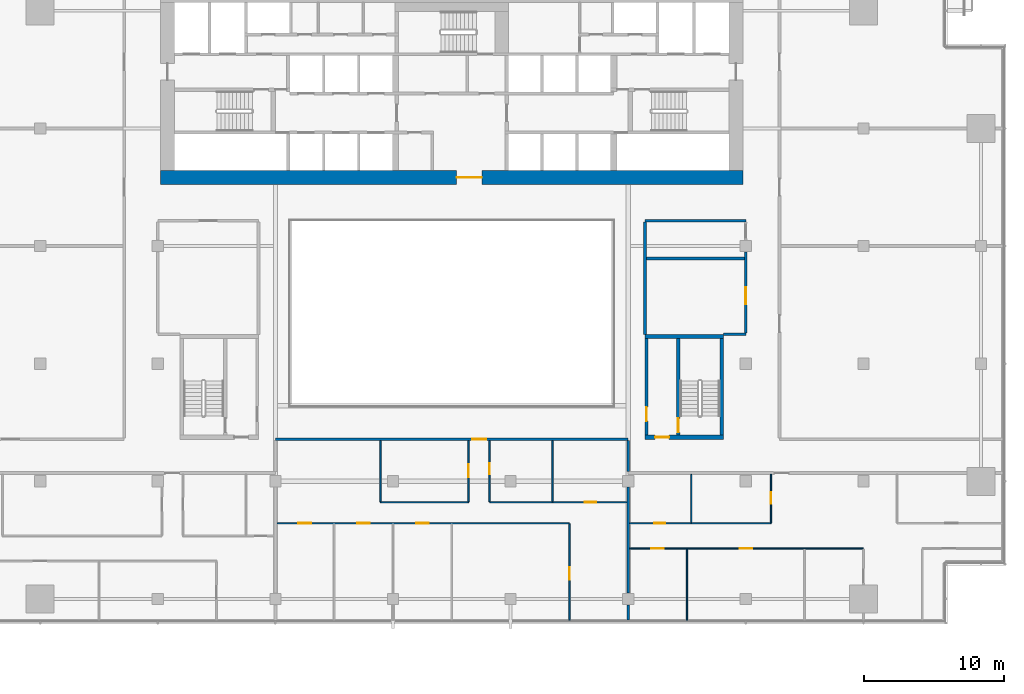
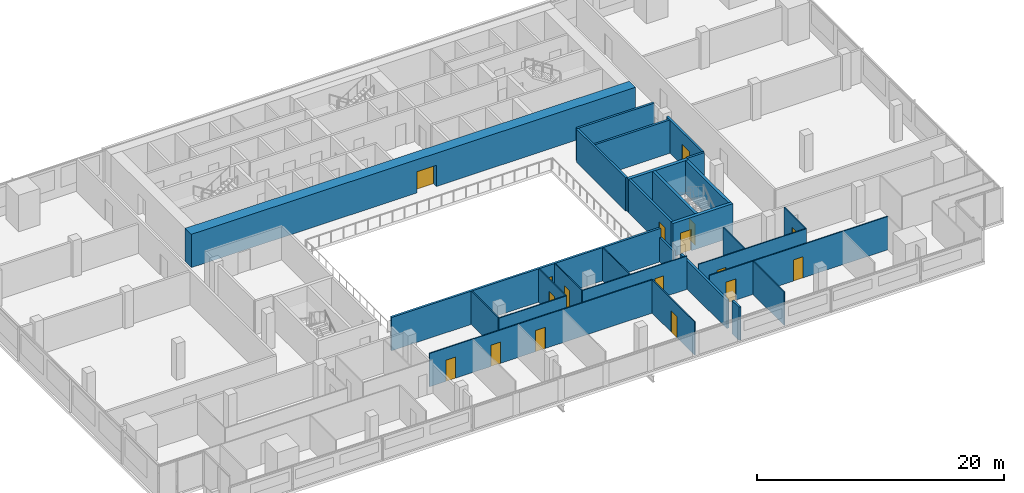
# One storey, part 18 of 26: 28 walls, 17 doors, 17 openings.
"""IFC4 building model written with IfcOpenShell, lengths in metres."""

from ifc_helpers import new_model, si_unit, direction, frame, frame_2d, origin, place, context, subcontext, project, spatial, rectangle, extrude, material, layer, layer_set, type_object, element, fill, save


model = new_model("IFC4")

# Units and contexts
model_context = context("Model", 3, precision=1e-05, world=origin(), true_north=direction((0.0, 1.0)))
body_context = subcontext(model_context, "Body", "Model", "MODEL_VIEW")
ifc_project = project(units=[si_unit("LENGTHUNIT", "METRE"), si_unit("AREAUNIT", "SQUARE_METRE"), si_unit("VOLUMEUNIT", "CUBIC_METRE"), si_unit("PLANEANGLEUNIT", "RADIAN"), si_unit("MASSUNIT", "GRAM", prefix="KILO")], contexts=[model_context])

# Site, building, storey
site_placement = place(None, origin())
site = spatial("IfcSite", under=ifc_project, at=site_placement, CompositionType="ELEMENT")
building_placement = place(site_placement, origin())
building = spatial("IfcBuilding", under=site, at=building_placement, Name="Saffron Gate Tower", CompositionType="ELEMENT")
storey_placement = place(building_placement, frame((0.0, 0.0, 138.449951171875)))
storey = spatial("IfcBuildingStorey", under=building, at=storey_placement, Name="L33", CompositionType="ELEMENT", Elevation=138.449951171875)

# Wall, opening, door
ifc_material_1 = material(Name="Gypsum board partition on steel studs", Category="steel")
ifc_layer_1 = layer(ifc_material_1, 0.199951171875)
ifc_layer_set_1 = layer_set([ifc_layer_1], Name="CW10 Core partition 200")
wall_type_1 = type_object("IfcWallType", Name="CW10 Core partition 200", PredefinedType="PARTITIONING", material=ifc_layer_set_1)
wall_1_placement = place(storey_placement, frame((101.5, 43.5, 0.0), z_axis=(0.0, 0.0, 1.0), x_axis=(0.0, 1.0, 0.0)))
wall_1 = element("IfcWall", 1, at=wall_1_placement, inside=storey, type_object=wall_type_1, Name="Wall CW10-L33-E-2", PredefinedType="PARTITIONING", context=body_context, shape_type="SweptSolid", body=[
    extrude(rectangle(XDim=6.89990234375, YDim=0.199951171875, at=frame_2d((3.449951171875, 0.0))), origin(), (0.0, 0.0, 1.0), 3.300048828125),
])
opening_1_placement = place(wall_1_placement, frame((1.0, 0.0, 0.0)))
opening_1 = element("IfcOpeningElement", 2, at=opening_1_placement, cuts=wall_1, Name="Opening CR-22", PredefinedType="OPENING", context=body_context, shape_type="SweptSolid", body=[
    extrude(rectangle(XDim=1.0, YDim=2.10009765625, at=frame_2d((0.5, 1.050048828125))), frame((0.0, 0.10986328125, 0.0), z_axis=(0.0, -1.0, 0.0), x_axis=(1.0, 0.0, 0.0)), (0.0, 0.0, 1.0), 0.219970703125),
])
ifc_material_2 = material(Name="Steel fire door set", Category="steel")
door_type_1 = type_object("IfcDoorType", Name="CD4 Lobby door 1000x2100 EI 120", OperationType="NOTDEFINED", PredefinedType="DOOR", material=ifc_material_2)
door_1_placement = place(opening_1_placement, origin())
door_1 = element("IfcDoor", 3, at=door_1_placement, inside=storey, type_object=door_type_1, Name="DOOR CR-22", OperationType="SINGLE_SWING_LEFT", OverallHeight=2.10009765625, OverallWidth=1.0, PredefinedType="DOOR", context=body_context, shape_type="SweptSolid", body=[
    extrude(rectangle(XDim=1.0, YDim=2.10009765625, at=frame_2d((0.5, 1.050048828125))), frame((0.0, 0.02490234375, 0.0), z_axis=(0.0, -1.0, 0.0), x_axis=(1.0, 0.0, 0.0)), (0.0, 0.0, 1.0), 0.050048828125),
])
fill(opening_1, door_1)

ifc_material_3 = material(Name="Concrete C70", Category="concrete")
ifc_layer_2 = layer(ifc_material_3, 1.0)
ifc_layer_set_2 = layer_set([ifc_layer_2], Name="CW12 RC core wall 1000 C70")
wall_type_2 = type_object("IfcWallType", Name="CW12 RC core wall 1000 C70", PredefinedType="SOLIDWALL", material=ifc_layer_set_2)
wall_2_placement = place(storey_placement, frame((66.800048828125, 61.89990234375, 0.0), z_axis=(0.0, 0.0, 1.0), x_axis=(1.0, 0.0, 0.0)))
wall_2 = element("IfcWall", 4, at=wall_2_placement, inside=storey, type_object=wall_type_2, Name="Wall CW12-L33-1", PredefinedType="SOLIDWALL", context=body_context, shape_type="SweptSolid", body=[
    extrude(rectangle(XDim=41.599853515625, YDim=1.0, at=frame_2d((20.7998046875, 0.0))), origin(), (0.0, 0.0, 1.0), 3.300048828125),
])
opening_2_placement = place(wall_2_placement, frame((21.14990234375, 0.0, 0.0)))
opening_2 = element("IfcOpeningElement", 5, at=opening_2_placement, cuts=wall_2, Name="Opening CR-09", PredefinedType="OPENING", context=body_context, shape_type="SweptSolid", body=[
    extrude(rectangle(XDim=1.800048828125, YDim=2.10009765625, at=frame_2d((0.89990234375, 1.050048828125))), frame((0.0, 0.510009765625, 0.0), z_axis=(0.0, -1.0, 0.0), x_axis=(1.0, 0.0, 0.0)), (0.0, 0.0, 1.0), 1.02001953125),
])
door_type_2 = type_object("IfcDoorType", Name="CD1 Core entrance door 1800x2100 EI 120", OperationType="NOTDEFINED", PredefinedType="DOOR", material=ifc_material_2)
door_2_placement = place(opening_2_placement, origin())
door_2 = element("IfcDoor", 6, at=door_2_placement, inside=storey, type_object=door_type_2, Name="DOOR CR-09", OperationType="DOUBLE_DOOR_SINGLE_SWING", OverallHeight=2.10009765625, OverallWidth=1.800048828125, PredefinedType="DOOR", context=body_context, shape_type="SweptSolid", body=[
    extrude(rectangle(XDim=1.800048828125, YDim=2.10009765625, at=frame_2d((0.89990234375, 1.050048828125))), frame((0.0, 0.02490234375, 0.0), z_axis=(0.0, -1.0, 0.0), x_axis=(1.0, 0.0, 0.0)), (0.0, 0.0, 1.0), 0.050048828125),
])
fill(opening_2, door_2)

ifc_layer_3 = layer(ifc_material_3, 0.25)
ifc_layer_set_3 = layer_set([ifc_layer_3], Name="CW2 RC core wall 250 C70")
wall_type_3 = type_object("IfcWallType", Name="CW2 RC core wall 250 C70", PredefinedType="SOLIDWALL", material=ifc_layer_set_3)
wall_3_placement = place(storey_placement, frame((103.77490234375, 43.5, 0.0), z_axis=(0.0, 0.0, 1.0), x_axis=(0.0, 1.0, 0.0)))
wall_3 = element("IfcWall", 7, at=wall_3_placement, inside=storey, type_object=wall_type_3, Name="Wall CW2-L33-E-3", PredefinedType="SOLIDWALL", context=body_context, shape_type="SweptSolid", body=[
    extrude(rectangle(XDim=6.89990234375, YDim=0.25, at=frame_2d((3.449951171875, 0.0))), origin(), (0.0, 0.0, 1.0), 3.300048828125),
])
opening_3_placement = place(wall_3_placement, frame((0.199951171875, 0.0, 0.0)))
opening_3 = element("IfcOpeningElement", 8, at=opening_3_placement, cuts=wall_3, Name="Opening CR-23", PredefinedType="OPENING", context=body_context, shape_type="SweptSolid", body=[
    extrude(rectangle(XDim=1.0, YDim=2.10009765625, at=frame_2d((0.5, 1.050048828125))), frame((0.0, 0.135009765625, 0.0), z_axis=(0.0, -1.0, 0.0), x_axis=(1.0, 0.0, 0.0)), (0.0, 0.0, 1.0), 0.27001953125),
])
door_type_3 = type_object("IfcDoorType", Name="CD5 Stair door 1000x2100 EI 120", OperationType="NOTDEFINED", PredefinedType="DOOR", material=ifc_material_2)
door_3_placement = place(opening_3_placement, origin())
door_3 = element("IfcDoor", 9, at=door_3_placement, inside=storey, type_object=door_type_3, Name="DOOR CR-23", OperationType="SINGLE_SWING_RIGHT", OverallHeight=2.10009765625, OverallWidth=1.0, PredefinedType="DOOR", context=body_context, shape_type="SweptSolid", body=[
    extrude(rectangle(XDim=1.0, YDim=2.10009765625, at=frame_2d((0.5, 1.050048828125))), frame((0.0, 0.02490234375, 0.0), z_axis=(0.0, -1.0, 0.0), x_axis=(1.0, 0.0, 0.0)), (0.0, 0.0, 1.0), 0.050048828125),
])
fill(opening_3, door_3)

# Wall
wall_4_placement = place(storey_placement, frame((106.875, 43.5, 0.0), z_axis=(0.0, 0.0, 1.0), x_axis=(0.0, 1.0, 0.0)))
element("IfcWall", 10, at=wall_4_placement, inside=storey, type_object=wall_type_3, Name="Wall CW2-L33-E-4", PredefinedType="SOLIDWALL", context=body_context, shape_type="SweptSolid", body=[
    extrude(rectangle(XDim=6.89990234375, YDim=0.25, at=frame_2d((3.449951171875, 0.0))), origin(), (0.0, 0.0, 1.0), 3.300048828125),
])

# Wall, opening, door
ifc_layer_4 = layer(ifc_material_3, 0.300048828125)
ifc_layer_set_4 = layer_set([ifc_layer_4], Name="CW5 RC core wall 300 C70")
wall_type_4 = type_object("IfcWallType", Name="CW5 RC core wall 300 C70", PredefinedType="SOLIDWALL", material=ifc_layer_set_4)
wall_5_placement = place(storey_placement, frame((101.39990234375, 43.35009765625, 0.0), z_axis=(0.0, 0.0, 1.0), x_axis=(1.0, 0.0, 0.0)))
wall_5 = element("IfcWall", 11, at=wall_5_placement, inside=storey, type_object=wall_type_4, Name="Wall CW5-L33-E-1", PredefinedType="SOLIDWALL", context=body_context, shape_type="SweptSolid", body=[
    extrude(rectangle(XDim=5.60009765625, YDim=0.300048828125, at=frame_2d((2.800048828125, 0.0))), origin(), (0.0, 0.0, 1.0), 3.300048828125),
])
opening_4_placement = place(wall_5_placement, frame((0.72509765625, 0.0, 0.0)))
opening_4 = element("IfcOpeningElement", 12, at=opening_4_placement, cuts=wall_5, Name="Opening CR-21", PredefinedType="OPENING", context=body_context, shape_type="SweptSolid", body=[
    extrude(rectangle(XDim=1.0, YDim=2.10009765625, at=frame_2d((0.5, 1.050048828125))), frame((0.0, 0.16015625, 0.0), z_axis=(0.0, -1.0, 0.0), x_axis=(1.0, 0.0, 0.0)), (0.0, 0.0, 1.0), 0.320068359375),
])
door_4_placement = place(opening_4_placement, origin())
door_4 = element("IfcDoor", 13, at=door_4_placement, inside=storey, type_object=door_type_1, Name="DOOR CR-21", OperationType="SINGLE_SWING_RIGHT", OverallHeight=2.10009765625, OverallWidth=1.0, PredefinedType="DOOR", context=body_context, shape_type="SweptSolid", body=[
    extrude(rectangle(XDim=1.0, YDim=2.10009765625, at=frame_2d((0.5, 1.050048828125))), frame((0.0, 0.02490234375, 0.0), z_axis=(0.0, -1.0, 0.0), x_axis=(1.0, 0.0, 0.0)), (0.0, 0.0, 1.0), 0.050048828125),
])
fill(opening_4, door_4)

# Wall
wall_6_placement = place(storey_placement, frame((101.39990234375, 50.550048828125, 0.0), z_axis=(0.0, 0.0, 1.0), x_axis=(1.0, 0.0, 0.0)))
element("IfcWall", 14, at=wall_6_placement, inside=storey, type_object=wall_type_4, Name="Wall CW5-L33-E-5", PredefinedType="SOLIDWALL", context=body_context, shape_type="SweptSolid", body=[
    extrude(rectangle(XDim=5.60009765625, YDim=0.300048828125, at=frame_2d((2.800048828125, 0.0))), origin(), (0.0, 0.0, 1.0), 3.300048828125),
])

# Wall, openings, doors
ifc_material_4 = material(Name="Plasterboard on steel studs", Category="steel")
ifc_layer_5 = layer(ifc_material_4, 0.10009765625)
ifc_layer_set_5 = layer_set([ifc_layer_5], Name="PW1 Partition 100")
wall_type_5 = type_object("IfcWallType", Name="PW1 Partition 100", PredefinedType="PARTITIONING", material=ifc_layer_set_5)
wall_7_placement = place(storey_placement, frame((117.0, 35.39990234375, 0.0), z_axis=(0.0, 0.0, 1.0), x_axis=(-1.0, 0.0, 0.0)))
wall_7 = element("IfcWall", 15, at=wall_7_placement, inside=storey, type_object=wall_type_5, Name="Partition B5-2", PredefinedType="PARTITIONING", context=body_context, shape_type="SweptSolid", body=[
    extrude(rectangle(XDim=16.699951171875, YDim=0.10009765625, at=frame_2d((8.35009765625, 0.0))), origin(), (0.0, 0.0, 1.0), 3.300048828125),
])
opening_5_placement = place(wall_7_placement, frame((7.949951171875, 0.0, 0.0)))
opening_5 = element("IfcOpeningElement", 16, at=opening_5_placement, cuts=wall_7, Name="Opening B5-14", PredefinedType="OPENING", context=body_context, shape_type="SweptSolid", body=[
    extrude(rectangle(XDim=0.89990234375, YDim=2.10009765625, at=frame_2d((0.449951171875, 1.050048828125))), frame((0.0, 0.06005859375, 0.0), z_axis=(0.0, -1.0, 0.0), x_axis=(1.0, 0.0, 0.0)), (0.0, 0.0, 1.0), 0.1201171875),
])
opening_6_placement = place(wall_7_placement, frame((14.25, 0.0, 0.0)))
opening_6 = element("IfcOpeningElement", 17, at=opening_6_placement, cuts=wall_7, Name="Opening B5-13", PredefinedType="OPENING", context=body_context, shape_type="SweptSolid", body=[
    extrude(rectangle(XDim=0.89990234375, YDim=2.10009765625, at=frame_2d((0.449951171875, 1.050048828125))), frame((0.0, 0.06005859375, 0.0), z_axis=(0.0, -1.0, 0.0), x_axis=(1.0, 0.0, 0.0)), (0.0, 0.0, 1.0), 0.1201171875),
])
ifc_material_5 = material(Name="Timber door set", Category="wood")
door_type_4 = type_object("IfcDoorType", Name="RD1 Room door 900x2100", OperationType="NOTDEFINED", PredefinedType="DOOR", material=ifc_material_5)
door_5_placement = place(opening_5_placement, origin())
door_5 = element("IfcDoor", 18, at=door_5_placement, inside=storey, type_object=door_type_4, Name="Door B5-14", OperationType="SINGLE_SWING_RIGHT", OverallHeight=2.10009765625, OverallWidth=0.89990234375, PredefinedType="DOOR", context=body_context, shape_type="SweptSolid", body=[
    extrude(rectangle(XDim=0.89990234375, YDim=2.10009765625, at=frame_2d((0.449951171875, 1.050048828125))), frame((0.0, 0.02490234375, 0.0), z_axis=(0.0, -1.0, 0.0), x_axis=(1.0, 0.0, 0.0)), (0.0, 0.0, 1.0), 0.050048828125),
])
fill(opening_5, door_5)
door_6_placement = place(opening_6_placement, origin())
door_6 = element("IfcDoor", 19, at=door_6_placement, inside=storey, type_object=door_type_4, Name="Door B5-13", OperationType="SINGLE_SWING_RIGHT", OverallHeight=2.10009765625, OverallWidth=0.89990234375, PredefinedType="DOOR", context=body_context, shape_type="SweptSolid", body=[
    extrude(rectangle(XDim=0.89990234375, YDim=2.10009765625, at=frame_2d((0.449951171875, 1.050048828125))), frame((0.0, 0.02490234375, 0.0), z_axis=(0.0, -1.0, 0.0), x_axis=(1.0, 0.0, 0.0)), (0.0, 0.0, 1.0), 0.050048828125),
])
fill(opening_6, door_6)

wall_8_placement = place(storey_placement, frame((96.0, 37.199951171875, 0.0), z_axis=(0.0, 0.0, 1.0), x_axis=(-1.0, 0.0, 0.0)))
wall_8 = element("IfcWall", 20, at=wall_8_placement, inside=storey, type_object=wall_type_5, Name="Partition B5-6", PredefinedType="PARTITIONING", context=body_context, shape_type="SweptSolid", body=[
    extrude(rectangle(XDim=20.89990234375, YDim=0.10009765625, at=frame_2d((10.449951171875, 0.0))), origin(), (0.0, 0.0, 1.0), 3.300048828125),
])
opening_7_placement = place(wall_8_placement, frame((10.050048828125, 0.0, 0.0)))
opening_7 = element("IfcOpeningElement", 21, at=opening_7_placement, cuts=wall_8, Name="Opening B5-10", PredefinedType="OPENING", context=body_context, shape_type="SweptSolid", body=[
    extrude(rectangle(XDim=0.89990234375, YDim=2.10009765625, at=frame_2d((0.449951171875, 1.050048828125))), frame((0.0, 0.06005859375, 0.0), z_axis=(0.0, -1.0, 0.0), x_axis=(1.0, 0.0, 0.0)), (0.0, 0.0, 1.0), 0.1201171875),
])
opening_8_placement = place(wall_8_placement, frame((14.25, 0.0, 0.0)))
opening_8 = element("IfcOpeningElement", 22, at=opening_8_placement, cuts=wall_8, Name="Opening B5-9", PredefinedType="OPENING", context=body_context, shape_type="SweptSolid", body=[
    extrude(rectangle(XDim=0.89990234375, YDim=2.10009765625, at=frame_2d((0.449951171875, 1.050048828125))), frame((0.0, 0.06005859375, 0.0), z_axis=(0.0, -1.0, 0.0), x_axis=(1.0, 0.0, 0.0)), (0.0, 0.0, 1.0), 0.1201171875),
])
opening_9_placement = place(wall_8_placement, frame((18.449951171875, 0.0, 0.0)))
opening_9 = element("IfcOpeningElement", 23, at=opening_9_placement, cuts=wall_8, Name="Opening B5-8", PredefinedType="OPENING", context=body_context, shape_type="SweptSolid", body=[
    extrude(rectangle(XDim=0.89990234375, YDim=2.10009765625, at=frame_2d((0.449951171875, 1.050048828125))), frame((0.0, 0.06005859375, 0.0), z_axis=(0.0, -1.0, 0.0), x_axis=(1.0, 0.0, 0.0)), (0.0, 0.0, 1.0), 0.1201171875),
])
door_7_placement = place(opening_7_placement, origin())
door_7 = element("IfcDoor", 24, at=door_7_placement, inside=storey, type_object=door_type_4, Name="Door B5-10", OperationType="SINGLE_SWING_RIGHT", OverallHeight=2.10009765625, OverallWidth=0.89990234375, PredefinedType="DOOR", context=body_context, shape_type="SweptSolid", body=[
    extrude(rectangle(XDim=0.89990234375, YDim=2.10009765625, at=frame_2d((0.449951171875, 1.050048828125))), frame((0.0, 0.02490234375, 0.0), z_axis=(0.0, -1.0, 0.0), x_axis=(1.0, 0.0, 0.0)), (0.0, 0.0, 1.0), 0.050048828125),
])
fill(opening_7, door_7)
door_8_placement = place(opening_8_placement, origin())
door_8 = element("IfcDoor", 25, at=door_8_placement, inside=storey, type_object=door_type_4, Name="Door B5-9", OperationType="SINGLE_SWING_RIGHT", OverallHeight=2.10009765625, OverallWidth=0.89990234375, PredefinedType="DOOR", context=body_context, shape_type="SweptSolid", body=[
    extrude(rectangle(XDim=0.89990234375, YDim=2.10009765625, at=frame_2d((0.449951171875, 1.050048828125))), frame((0.0, 0.02490234375, 0.0), z_axis=(0.0, -1.0, 0.0), x_axis=(1.0, 0.0, 0.0)), (0.0, 0.0, 1.0), 0.050048828125),
])
fill(opening_8, door_8)
door_9_placement = place(opening_9_placement, origin())
door_9 = element("IfcDoor", 26, at=door_9_placement, inside=storey, type_object=door_type_4, Name="Door B5-8", OperationType="SINGLE_SWING_RIGHT", OverallHeight=2.10009765625, OverallWidth=0.89990234375, PredefinedType="DOOR", context=body_context, shape_type="SweptSolid", body=[
    extrude(rectangle(XDim=0.89990234375, YDim=2.10009765625, at=frame_2d((0.449951171875, 1.050048828125))), frame((0.0, 0.02490234375, 0.0), z_axis=(0.0, -1.0, 0.0), x_axis=(1.0, 0.0, 0.0)), (0.0, 0.0, 1.0), 0.050048828125),
])
fill(opening_9, door_9)

# Wall, opening, door
wall_9_placement = place(storey_placement, frame((100.300048828125, 37.199951171875, 0.0), z_axis=(0.0, 0.0, 1.0), x_axis=(1.0, 0.0, 0.0)))
wall_9 = element("IfcWall", 27, at=wall_9_placement, inside=storey, type_object=wall_type_5, Name="Partition B5-7", PredefinedType="PARTITIONING", context=body_context, shape_type="SweptSolid", body=[
    extrude(rectangle(XDim=10.099853515625, YDim=0.10009765625, at=frame_2d((5.0498046875, 0.0))), origin(), (0.0, 0.0, 1.0), 3.300048828125),
])
opening_10_placement = place(wall_9_placement, frame((1.75, 0.0, 0.0)))
opening_10 = element("IfcOpeningElement", 28, at=opening_10_placement, cuts=wall_9, Name="Opening B5-23", PredefinedType="OPENING", context=body_context, shape_type="SweptSolid", body=[
    extrude(rectangle(XDim=0.800048828125, YDim=2.10009765625, at=frame_2d((0.39990234375, 1.050048828125))), frame((0.0, 0.06005859375, 0.0), z_axis=(0.0, -1.0, 0.0), x_axis=(1.0, 0.0, 0.0)), (0.0, 0.0, 1.0), 0.1201171875),
])
door_type_5 = type_object("IfcDoorType", Name="RD2 Bathroom door 800x2100", OperationType="NOTDEFINED", PredefinedType="DOOR", material=ifc_material_5)
door_10_placement = place(opening_10_placement, origin())
door_10 = element("IfcDoor", 29, at=door_10_placement, inside=storey, type_object=door_type_5, Name="Door B5-23", OperationType="SINGLE_SWING_LEFT", OverallHeight=2.10009765625, OverallWidth=0.800048828125, PredefinedType="DOOR", context=body_context, shape_type="SweptSolid", body=[
    extrude(rectangle(XDim=0.800048828125, YDim=2.10009765625, at=frame_2d((0.39990234375, 1.050048828125))), frame((0.0, 0.02490234375, 0.0), z_axis=(0.0, -1.0, 0.0), x_axis=(1.0, 0.0, 0.0)), (0.0, 0.0, 1.0), 0.050048828125),
])
fill(opening_10, door_10)

# Wall
wall_10_placement = place(storey_placement, frame((82.5, 38.699951171875, 0.0), z_axis=(0.0, 0.0, 1.0), x_axis=(1.0, 0.0, 0.0)))
element("IfcWall", 30, at=wall_10_placement, inside=storey, type_object=wall_type_5, Name="Partition B5-9", PredefinedType="PARTITIONING", context=body_context, shape_type="SweptSolid", body=[
    extrude(rectangle(XDim=6.300048828125, YDim=0.10009765625, at=frame_2d((3.14990234375, 0.0))), origin(), (0.0, 0.0, 1.0), 3.300048828125),
])

# Wall, opening, door
wall_11_placement = place(storey_placement, frame((90.300048828125, 38.699951171875, 0.0), z_axis=(0.0, 0.0, 1.0), x_axis=(1.0, 0.0, 0.0)))
wall_11 = element("IfcWall", 31, at=wall_11_placement, inside=storey, type_object=wall_type_5, Name="Partition B5-10", PredefinedType="PARTITIONING", context=body_context, shape_type="SweptSolid", body=[
    extrude(rectangle(XDim=9.800048828125, YDim=0.10009765625, at=frame_2d((4.89990234375, 0.0))), origin(), (0.0, 0.0, 1.0), 3.300048828125),
])
opening_11_placement = place(wall_11_placement, frame((6.800048828125, 0.0, 0.0)))
opening_11 = element("IfcOpeningElement", 32, at=opening_11_placement, cuts=wall_11, Name="Opening B5-22", PredefinedType="OPENING", context=body_context, shape_type="SweptSolid", body=[
    extrude(rectangle(XDim=0.800048828125, YDim=2.10009765625, at=frame_2d((0.39990234375, 1.050048828125))), frame((0.0, 0.06005859375, 0.0), z_axis=(0.0, -1.0, 0.0), x_axis=(1.0, 0.0, 0.0)), (0.0, 0.0, 1.0), 0.1201171875),
])
door_11_placement = place(opening_11_placement, origin())
door_11 = element("IfcDoor", 33, at=door_11_placement, inside=storey, type_object=door_type_5, Name="Door B5-22", OperationType="SINGLE_SWING_RIGHT", OverallHeight=2.10009765625, OverallWidth=0.800048828125, PredefinedType="DOOR", context=body_context, shape_type="SweptSolid", body=[
    extrude(rectangle(XDim=0.800048828125, YDim=2.10009765625, at=frame_2d((0.39990234375, 1.050048828125))), frame((0.0, 0.02490234375, 0.0), z_axis=(0.0, -1.0, 0.0), x_axis=(1.0, 0.0, 0.0)), (0.0, 0.0, 1.0), 0.050048828125),
])
fill(opening_11, door_11)

# Wall
wall_12_placement = place(storey_placement, frame((82.5, 43.10009765625, 0.0), z_axis=(0.0, 0.0, 1.0), x_axis=(0.0, -1.0, 0.0)))
element("IfcWall", 34, at=wall_12_placement, inside=storey, type_object=wall_type_5, Name="Partition B5-50", PredefinedType="PARTITIONING", context=body_context, shape_type="SweptSolid", body=[
    extrude(rectangle(XDim=4.35009765625, YDim=0.10009765625, at=frame_2d((2.175048828125, 0.0))), origin(), (0.0, 0.0, 1.0), 3.300048828125),
])

# Wall, opening, door
wall_13_placement = place(storey_placement, frame((88.800048828125, 38.75, 0.0), z_axis=(0.0, 0.0, 1.0), x_axis=(0.0, 1.0, 0.0)))
wall_13 = element("IfcWall", 35, at=wall_13_placement, inside=storey, type_object=wall_type_5, Name="Partition B5-54", PredefinedType="PARTITIONING", context=body_context, shape_type="SweptSolid", body=[
    extrude(rectangle(XDim=4.35009765625, YDim=0.10009765625, at=frame_2d((2.175048828125, 0.0))), origin(), (0.0, 0.0, 1.0), 3.300048828125),
])
opening_12_placement = place(wall_13_placement, frame((1.75, 0.0, 0.0)))
opening_12 = element("IfcOpeningElement", 36, at=opening_12_placement, cuts=wall_13, Name="Opening B5-12", PredefinedType="OPENING", context=body_context, shape_type="SweptSolid", body=[
    extrude(rectangle(XDim=0.89990234375, YDim=2.10009765625, at=frame_2d((0.449951171875, 1.050048828125))), frame((0.0, 0.06005859375, 0.0), z_axis=(0.0, -1.0, 0.0), x_axis=(1.0, 0.0, 0.0)), (0.0, 0.0, 1.0), 0.1201171875),
])
door_12_placement = place(opening_12_placement, origin())
door_12 = element("IfcDoor", 37, at=door_12_placement, inside=storey, type_object=door_type_4, Name="Door B5-12", OperationType="SINGLE_SWING_RIGHT", OverallHeight=2.10009765625, OverallWidth=0.89990234375, PredefinedType="DOOR", context=body_context, shape_type="SweptSolid", body=[
    extrude(rectangle(XDim=0.89990234375, YDim=2.10009765625, at=frame_2d((0.449951171875, 1.050048828125))), frame((0.0, 0.02490234375, 0.0), z_axis=(0.0, -1.0, 0.0), x_axis=(1.0, 0.0, 0.0)), (0.0, 0.0, 1.0), 0.050048828125),
])
fill(opening_12, door_12)

wall_14_placement = place(storey_placement, frame((90.300048828125, 43.10009765625, 0.0), z_axis=(0.0, 0.0, 1.0), x_axis=(0.0, -1.0, 0.0)))
wall_14 = element("IfcWall", 38, at=wall_14_placement, inside=storey, type_object=wall_type_5, Name="Partition B5-55", PredefinedType="PARTITIONING", context=body_context, shape_type="SweptSolid", body=[
    extrude(rectangle(XDim=4.35009765625, YDim=0.10009765625, at=frame_2d((2.175048828125, 0.0))), origin(), (0.0, 0.0, 1.0), 3.300048828125),
])
opening_13_placement = place(wall_14_placement, frame((1.60009765625, 0.0, 0.0)))
opening_13 = element("IfcOpeningElement", 39, at=opening_13_placement, cuts=wall_14, Name="Opening B5-21", PredefinedType="OPENING", context=body_context, shape_type="SweptSolid", body=[
    extrude(rectangle(XDim=0.800048828125, YDim=2.10009765625, at=frame_2d((0.39990234375, 1.050048828125))), frame((0.0, 0.06005859375, 0.0), z_axis=(0.0, -1.0, 0.0), x_axis=(1.0, 0.0, 0.0)), (0.0, 0.0, 1.0), 0.1201171875),
])
door_13_placement = place(opening_13_placement, origin())
door_13 = element("IfcDoor", 40, at=door_13_placement, inside=storey, type_object=door_type_5, Name="Door B5-21", OperationType="SINGLE_SWING_LEFT", OverallHeight=2.10009765625, OverallWidth=0.800048828125, PredefinedType="DOOR", context=body_context, shape_type="SweptSolid", body=[
    extrude(rectangle(XDim=0.800048828125, YDim=2.10009765625, at=frame_2d((0.39990234375, 1.050048828125))), frame((0.0, 0.02490234375, 0.0), z_axis=(0.0, -1.0, 0.0), x_axis=(1.0, 0.0, 0.0)), (0.0, 0.0, 1.0), 0.050048828125),
])
fill(opening_13, door_13)

# Wall
wall_15_placement = place(storey_placement, frame((94.800048828125, 43.10009765625, 0.0), z_axis=(0.0, 0.0, 1.0), x_axis=(0.0, -1.0, 0.0)))
element("IfcWall", 41, at=wall_15_placement, inside=storey, type_object=wall_type_5, Name="Partition B5-56", PredefinedType="PARTITIONING", context=body_context, shape_type="SweptSolid", body=[
    extrude(rectangle(XDim=4.35009765625, YDim=0.10009765625, at=frame_2d((2.175048828125, 0.0))), origin(), (0.0, 0.0, 1.0), 3.300048828125),
])

# Wall, opening, door
wall_16_placement = place(storey_placement, frame((96.0, 30.280029296875, 0.0), z_axis=(0.0, 0.0, 1.0), x_axis=(0.0, 1.0, 0.0)))
wall_16 = element("IfcWall", 42, at=wall_16_placement, inside=storey, type_object=wall_type_5, Name="Partition B5-57", PredefinedType="PARTITIONING", context=body_context, shape_type="SweptSolid", body=[
    extrude(rectangle(XDim=6.869873046875, YDim=0.10009765625, at=frame_2d((3.43505859375, 0.0))), origin(), (0.0, 0.0, 1.0), 3.300048828125),
])
opening_14_placement = place(wall_16_placement, frame((2.8701171875, 0.0, 0.0)))
opening_14 = element("IfcOpeningElement", 43, at=opening_14_placement, cuts=wall_16, Name="Opening B5-11", PredefinedType="OPENING", context=body_context, shape_type="SweptSolid", body=[
    extrude(rectangle(XDim=0.89990234375, YDim=2.10009765625, at=frame_2d((0.449951171875, 1.050048828125))), frame((0.0, 0.06005859375, 0.0), z_axis=(0.0, -1.0, 0.0), x_axis=(1.0, 0.0, 0.0)), (0.0, 0.0, 1.0), 0.1201171875),
])
door_14_placement = place(opening_14_placement, origin())
door_14 = element("IfcDoor", 44, at=door_14_placement, inside=storey, type_object=door_type_4, Name="Door B5-11", OperationType="SINGLE_SWING_LEFT", OverallHeight=2.10009765625, OverallWidth=0.89990234375, PredefinedType="DOOR", context=body_context, shape_type="SweptSolid", body=[
    extrude(rectangle(XDim=0.89990234375, YDim=2.10009765625, at=frame_2d((0.449951171875, 1.050048828125))), frame((0.0, 0.02490234375, 0.0), z_axis=(0.0, -1.0, 0.0), x_axis=(1.0, 0.0, 0.0)), (0.0, 0.0, 1.0), 0.050048828125),
])
fill(opening_14, door_14)

# Walls
wall_17_placement = place(storey_placement, frame((104.39990234375, 35.35009765625, 0.0), z_axis=(0.0, 0.0, 1.0), x_axis=(0.0, -1.0, 0.0)))
element("IfcWall", 45, at=wall_17_placement, inside=storey, type_object=wall_type_5, Name="Partition B5-62", PredefinedType="PARTITIONING", context=body_context, shape_type="SweptSolid", body=[
    extrude(rectangle(XDim=5.070068359375, YDim=0.10009765625, at=frame_2d((2.53515625, 0.0))), origin(), (0.0, 0.0, 1.0), 3.300048828125),
])
wall_18_placement = place(storey_placement, frame((104.699951171875, 40.699951171875, 0.0), z_axis=(0.0, 0.0, 1.0), x_axis=(0.0, -1.0, 0.0)))
element("IfcWall", 46, at=wall_18_placement, inside=storey, type_object=wall_type_5, Name="Partition B5-63", PredefinedType="PARTITIONING", context=body_context, shape_type="SweptSolid", body=[
    extrude(rectangle(XDim=3.449951171875, YDim=0.10009765625, at=frame_2d((1.72509765625, 0.0))), origin(), (0.0, 0.0, 1.0), 3.300048828125),
])

# Wall, opening, door
wall_19_placement = place(storey_placement, frame((110.39990234375, 37.25, 0.0), z_axis=(0.0, 0.0, 1.0), x_axis=(0.0, 1.0, 0.0)))
wall_19 = element("IfcWall", 47, at=wall_19_placement, inside=storey, type_object=wall_type_5, Name="Partition B5-66", PredefinedType="PARTITIONING", context=body_context, shape_type="SweptSolid", body=[
    extrude(rectangle(XDim=3.449951171875, YDim=0.10009765625, at=frame_2d((1.72509765625, 0.0))), origin(), (0.0, 0.0, 1.0), 3.300048828125),
])
opening_15_placement = place(wall_19_placement, frame((1.35009765625, 0.0, 0.0)))
opening_15 = element("IfcOpeningElement", 48, at=opening_15_placement, cuts=wall_19, Name="Opening B5-24", PredefinedType="OPENING", context=body_context, shape_type="SweptSolid", body=[
    extrude(rectangle(XDim=0.800048828125, YDim=2.10009765625, at=frame_2d((0.39990234375, 1.050048828125))), frame((0.0, 0.06005859375, 0.0), z_axis=(0.0, -1.0, 0.0), x_axis=(1.0, 0.0, 0.0)), (0.0, 0.0, 1.0), 0.1201171875),
])
door_15_placement = place(opening_15_placement, origin())
door_15 = element("IfcDoor", 49, at=door_15_placement, inside=storey, type_object=door_type_5, Name="Door B5-24", OperationType="SINGLE_SWING_RIGHT", OverallHeight=2.10009765625, OverallWidth=0.800048828125, PredefinedType="DOOR", context=body_context, shape_type="SweptSolid", body=[
    extrude(rectangle(XDim=0.800048828125, YDim=2.10009765625, at=frame_2d((0.39990234375, 1.050048828125))), frame((0.0, 0.02490234375, 0.0), z_axis=(0.0, -1.0, 0.0), x_axis=(1.0, 0.0, 0.0)), (0.0, 0.0, 1.0), 0.050048828125),
])
fill(opening_15, door_15)

# Walls
ifc_material_6 = material(Name="Clay brick masonry, rendered", Category="masonry")
ifc_layer_6 = layer(ifc_material_6, 0.199951171875)
ifc_layer_set_6 = layer_set([ifc_layer_6], Name="PW2 Demising wall 200")
wall_type_6 = type_object("IfcWallType", Name="PW2 Demising wall 200", PredefinedType="PARTITIONING", material=ifc_layer_set_6)
wall_20_placement = place(storey_placement, frame((100.199951171875, 31.3798828125, 0.0), z_axis=(0.0, 0.0, 1.0), x_axis=(0.0, -1.0, 0.0)))
element("IfcWall", 50, at=wall_20_placement, inside=storey, type_object=wall_type_6, Name="Wall B5-59", PredefinedType="PARTITIONING", context=body_context, shape_type="SweptSolid", body=[
    extrude(rectangle(XDim=1.099853515625, YDim=0.199951171875, at=frame_2d((0.5498046875, 0.0))), origin(), (0.0, 0.0, 1.0), 3.300048828125),
])
wall_21_placement = place(storey_placement, frame((100.199951171875, 39.780029296875, 0.0), z_axis=(0.0, 0.0, 1.0), x_axis=(0.0, -1.0, 0.0)))
element("IfcWall", 51, at=wall_21_placement, inside=storey, type_object=wall_type_6, Name="Wall B5-60", PredefinedType="PARTITIONING", context=body_context, shape_type="SweptSolid", body=[
    extrude(rectangle(XDim=7.56005859375, YDim=0.199951171875, at=frame_2d((3.780029296875, 0.0))), origin(), (0.0, 0.0, 1.0), 2.81005859375),
])

# Wall, opening, door
ifc_layer_7 = layer(ifc_material_6, 0.199951171875)
ifc_layer_set_7 = layer_set([ifc_layer_7], Name="PW3 Corridor wall 200")
wall_type_7 = type_object("IfcWallType", Name="PW3 Corridor wall 200", PredefinedType="PARTITIONING", material=ifc_layer_set_7)
wall_22_placement = place(storey_placement, frame((100.199951171875, 43.199951171875, 0.0), z_axis=(0.0, 0.0, 1.0), x_axis=(-1.0, 0.0, 0.0)))
wall_22 = element("IfcWall", 52, at=wall_22_placement, inside=storey, type_object=wall_type_7, Name="Wall B5-16", PredefinedType="PARTITIONING", context=body_context, shape_type="SweptSolid", body=[
    extrude(rectangle(XDim=25.199951171875, YDim=0.199951171875, at=frame_2d((12.60009765625, 0.0))), origin(), (0.0, 0.0, 1.0), 3.300048828125),
])
opening_16_placement = place(wall_22_placement, frame((10.14990234375, 0.0, 0.0)))
opening_16 = element("IfcOpeningElement", 53, at=opening_16_placement, cuts=wall_22, Name="Opening B5-2", PredefinedType="OPENING", context=body_context, shape_type="SweptSolid", body=[
    extrude(rectangle(XDim=1.0, YDim=2.10009765625, at=frame_2d((0.5, 1.050048828125))), frame((0.0, 0.10986328125, 0.0), z_axis=(0.0, -1.0, 0.0), x_axis=(1.0, 0.0, 0.0)), (0.0, 0.0, 1.0), 0.219970703125),
])
ifc_material_7 = material(Name="Timber fire door set", Category="wood")
door_type_6 = type_object("IfcDoorType", Name="FD1 Flat entry door 1000x2100", OperationType="NOTDEFINED", PredefinedType="DOOR", material=ifc_material_7)
door_16_placement = place(opening_16_placement, origin())
door_16 = element("IfcDoor", 54, at=door_16_placement, inside=storey, type_object=door_type_6, Name="Door B5-2", OperationType="SINGLE_SWING_RIGHT", OverallHeight=2.10009765625, OverallWidth=1.0, PredefinedType="DOOR", context=body_context, shape_type="SweptSolid", body=[
    extrude(rectangle(XDim=1.0, YDim=2.10009765625, at=frame_2d((0.5, 1.050048828125))), frame((0.0, 0.02490234375, 0.0), z_axis=(0.0, -1.0, 0.0), x_axis=(1.0, 0.0, 0.0)), (0.0, 0.0, 1.0), 0.050048828125),
])
fill(opening_16, door_16)

# Walls
wall_23_placement = place(storey_placement, frame((107.0, 50.699951171875, 0.0), z_axis=(0.0, 0.0, 1.0), x_axis=(1.0, 0.0, 0.0)))
element("IfcWall", 55, at=wall_23_placement, inside=storey, type_object=wall_type_7, Name="Wall B5-19", PredefinedType="PARTITIONING", context=body_context, shape_type="SweptSolid", body=[
    extrude(rectangle(XDim=1.60009765625, YDim=0.199951171875, at=frame_2d((0.800048828125, 0.0))), origin(), (0.0, 0.0, 1.0), 3.300048828125),
])
wall_24_placement = place(storey_placement, frame((101.39990234375, 58.800048828125, 0.0), z_axis=(0.0, 0.0, 1.0), x_axis=(1.0, 0.0, 0.0)))
element("IfcWall", 56, at=wall_24_placement, inside=storey, type_object=wall_type_7, Name="Wall B5-28", PredefinedType="PARTITIONING", context=body_context, shape_type="SweptSolid", body=[
    extrude(rectangle(XDim=7.2001953125, YDim=0.199951171875, at=frame_2d((3.60009765625, 0.0))), origin(), (0.0, 0.0, 1.0), 3.300048828125),
])
wall_25_placement = place(storey_placement, frame((100.199951171875, 43.10009765625, 0.0), z_axis=(0.0, 0.0, 1.0), x_axis=(0.0, -1.0, 0.0)))
element("IfcWall", 57, at=wall_25_placement, inside=storey, type_object=wall_type_7, Name="Wall B5-58", PredefinedType="PARTITIONING", context=body_context, shape_type="SweptSolid", body=[
    extrude(rectangle(XDim=2.2001953125, YDim=0.199951171875, at=frame_2d((1.10009765625, 0.0))), origin(), (0.0, 0.0, 1.0), 2.41015625),
])
wall_26_placement = place(storey_placement, frame((101.39990234375, 58.699951171875, 0.0), z_axis=(0.0, 0.0, 1.0), x_axis=(0.0, -1.0, 0.0)))
element("IfcWall", 58, at=wall_26_placement, inside=storey, type_object=wall_type_7, Name="Wall B5-61", PredefinedType="PARTITIONING", context=body_context, shape_type="SweptSolid", body=[
    extrude(rectangle(XDim=8.0, YDim=0.199951171875, at=frame_2d((4.0, 0.0))), origin(), (0.0, 0.0, 1.0), 3.300048828125),
])

# Wall, opening, door
wall_27_placement = place(storey_placement, frame((108.60009765625, 50.800048828125, 0.0), z_axis=(0.0, 0.0, 1.0), x_axis=(0.0, 1.0, 0.0)))
wall_27 = element("IfcWall", 59, at=wall_27_placement, inside=storey, type_object=wall_type_7, Name="Wall B5-64", PredefinedType="PARTITIONING", context=body_context, shape_type="SweptSolid", body=[
    extrude(rectangle(XDim=5.780029296875, YDim=0.199951171875, at=frame_2d((2.89013671875, 0.0))), origin(), (0.0, 0.0, 1.0), 3.300048828125),
])
opening_17_placement = place(wall_27_placement, frame((2.050048828125, 0.0, 0.0)))
opening_17 = element("IfcOpeningElement", 60, at=opening_17_placement, cuts=wall_27, Name="Opening B5-28", PredefinedType="OPENING", context=body_context, shape_type="SweptSolid", body=[
    extrude(rectangle(XDim=1.199951171875, YDim=2.10009765625, at=frame_2d((0.60009765625, 1.050048828125))), frame((0.0, 0.10986328125, 0.0), z_axis=(0.0, -1.0, 0.0), x_axis=(1.0, 0.0, 0.0)), (0.0, 0.0, 1.0), 0.219970703125),
])
door_type_7 = type_object("IfcDoorType", Name="HD1 Hall door 1200x2100", OperationType="NOTDEFINED", PredefinedType="DOOR", material=ifc_material_5)
door_17_placement = place(opening_17_placement, origin())
door_17 = element("IfcDoor", 61, at=door_17_placement, inside=storey, type_object=door_type_7, Name="Door B5-28", OperationType="SINGLE_SWING_RIGHT", OverallHeight=2.10009765625, OverallWidth=1.199951171875, PredefinedType="DOOR", context=body_context, shape_type="SweptSolid", body=[
    extrude(rectangle(XDim=1.199951171875, YDim=2.10009765625, at=frame_2d((0.60009765625, 1.050048828125))), frame((0.0, 0.02490234375, 0.0), z_axis=(0.0, -1.0, 0.0), x_axis=(1.0, 0.0, 0.0)), (0.0, 0.0, 1.0), 0.050048828125),
])
fill(opening_17, door_17)

# Wall
ifc_layer_8 = layer(ifc_material_6, 0.199951171875)
ifc_layer_set_8 = layer_set([ifc_layer_8], Name="PW5 Room wall 200")
wall_type_8 = type_object("IfcWallType", Name="PW5 Room wall 200", PredefinedType="PARTITIONING", material=ifc_layer_set_8)
wall_28_placement = place(storey_placement, frame((101.5, 56.10009765625, 0.0), z_axis=(0.0, 0.0, 1.0), x_axis=(1.0, 0.0, 0.0)))
element("IfcWall", 62, at=wall_28_placement, inside=storey, type_object=wall_type_8, Name="Wall B5-20", PredefinedType="PARTITIONING", context=body_context, shape_type="SweptSolid", body=[
    extrude(rectangle(XDim=7.0, YDim=0.199951171875, at=frame_2d((3.5, 0.0))), origin(), (0.0, 0.0, 1.0), 3.300048828125),
])

save(model, "model.ifc")
